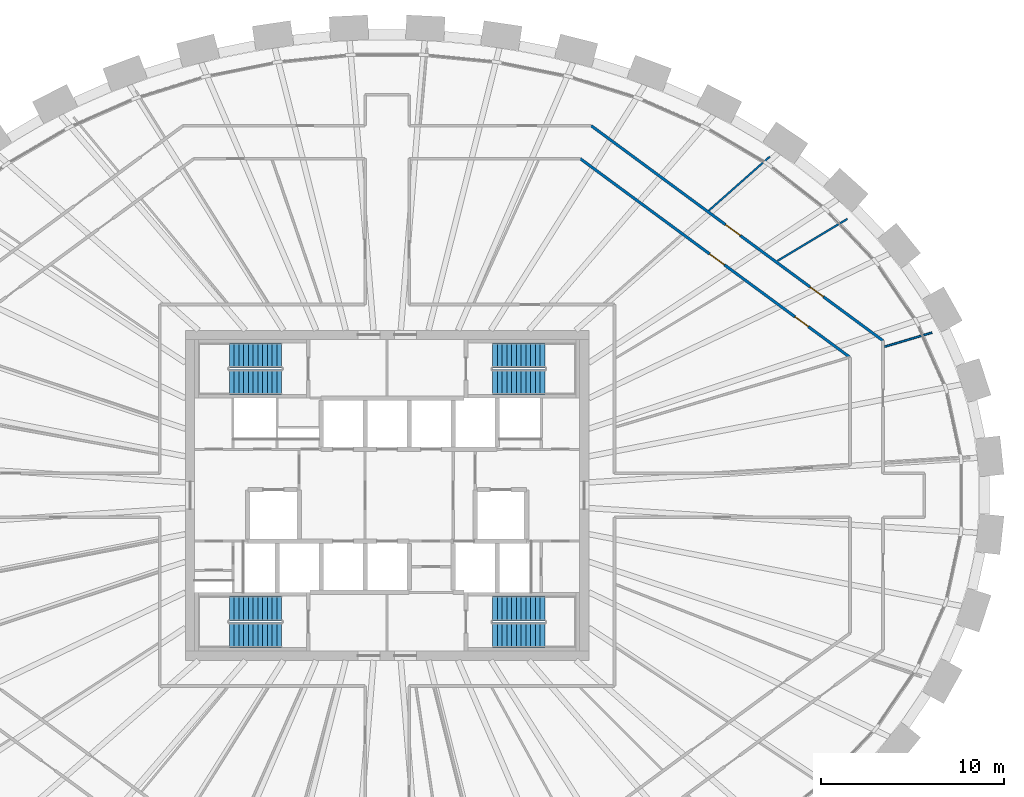
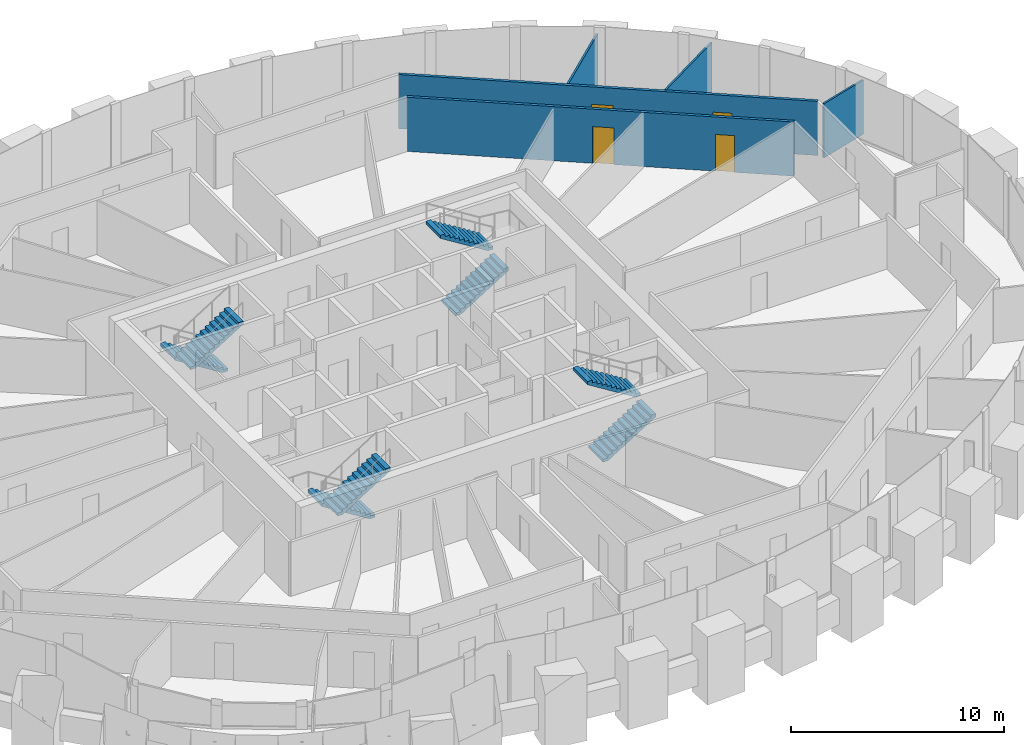
# One storey, part 11 of 12: 8 stair flights, 5 walls, 4 doors, 4 openings, 4 elements without a shape of their own.
"""IFC4 building model written with IfcOpenShell, lengths in metres."""

from ifc_helpers import new_model, si_unit, direction, frame, frame_2d, origin, place, context, subcontext, project, spatial, polyline, rectangle, outline, extrude, source, transform, mapped, material, layer, layer_set, type_object, element, fill, aggregate, save


model = new_model("IFC4")

# Units and contexts
model_context = context("Model", 3, precision=1e-05, world=origin(), true_north=direction((0.0, 1.0)))
body_context = subcontext(model_context, "Body", "Model", "MODEL_VIEW")
ifc_project = project(units=[si_unit("LENGTHUNIT", "METRE"), si_unit("AREAUNIT", "SQUARE_METRE"), si_unit("VOLUMEUNIT", "CUBIC_METRE"), si_unit("PLANEANGLEUNIT", "RADIAN"), si_unit("MASSUNIT", "GRAM", prefix="KILO")], contexts=[model_context])

# Site, building, storey
site_placement = place(None, origin())
site = spatial("IfcSite", under=ifc_project, at=site_placement, CompositionType="ELEMENT")
building_placement = place(site_placement, origin())
building = spatial("IfcBuilding", under=site, at=building_placement, Name="Embergate Tower", CompositionType="ELEMENT")
storey_placement = place(building_placement, frame((0.0, 0.0, 265.60009765625)))
storey = spatial("IfcBuildingStorey", under=building, at=storey_placement, Name="L61", CompositionType="ELEMENT", Elevation=265.60009765625)

# Wall, openings, doors
ifc_material_1 = material(Name="Corridor wall dry-lined 150")
ifc_layer_1 = layer(ifc_material_1, 0.14990234375)
ifc_layer_set_1 = layer_set([ifc_layer_1], Name="Corridor wall dry-lined 150")
wall_type_1 = type_object("IfcWallType", Name="Corridor wall dry-lined 150", PredefinedType="PARTITIONING", material=ifc_layer_set_1)
shared_shape_1 = source(origin(), body_context, "Body", "SweptSolid", [
    extrude(rectangle(XDim=19.77294921875, YDim=0.14990234375, at=frame_2d((9.886474609375, 0.0))), origin(), (0.0, 0.0, 1.0), 3.099853515625),
])
wall_1_placement = place(storey_placement, frame((27.0458984375, 8.431884765625, 0.0), z_axis=(0.0, 0.0, 1.0), x_axis=(-0.805138380898, 0.593086998344, 0.0)))
wall_1 = element("IfcWall", 1, at=wall_1_placement, inside=storey, type_object=wall_type_1, Name="IP-2 wall", PredefinedType="PARTITIONING", context=body_context, shape_type="MappedRepresentation", body=[
    mapped(shared_shape_1, transform((0.0, 0.0, 0.0))),
])
shared_shape_2 = source(origin(), body_context, "Body", "SweptSolid", [
    extrude(rectangle(XDim=0.89990234375, YDim=2.10009765625, at=frame_2d((0.449951171875, 1.050048828125))), frame((0.0, 0.0849609375, 0.0), z_axis=(0.0, -1.0, 0.0), x_axis=(1.0, 0.0, 0.0)), (0.0, 0.0, 1.0), 0.169921875),
])
opening_1_placement = place(wall_1_placement, frame((4.04248046875, 0.0, 0.0)))
opening_1 = element("IfcOpeningElement", 2, at=opening_1_placement, cuts=wall_1, Name="Opening IF-1c", PredefinedType="OPENING", context=body_context, shape_type="MappedRepresentation", body=[
    mapped(shared_shape_2, transform((0.0, 0.0, 0.0))),
])
shared_shape_3 = source(origin(), body_context, "Body", "SweptSolid", [
    extrude(rectangle(XDim=1.0, YDim=2.10009765625, at=frame_2d((0.5, 1.050048828125))), frame((0.0, 0.0849609375, 0.0), z_axis=(0.0, -1.0, 0.0), x_axis=(1.0, 0.0, 0.0)), (0.0, 0.0, 1.0), 0.169921875),
])
opening_2_placement = place(wall_1_placement, frame((9.669677734375, 0.0, 0.0)))
opening_2 = element("IfcOpeningElement", 3, at=opening_2_placement, cuts=wall_1, Name="Opening ID-2", PredefinedType="OPENING", context=body_context, shape_type="MappedRepresentation", body=[
    mapped(shared_shape_3, transform((0.0, 0.0, 0.0))),
])
ifc_material_2 = material(Name="Escape fire door 900")
door_type_1 = type_object("IfcDoorType", Name="Escape fire door 900", OperationType="SINGLE_SWING_LEFT", PredefinedType="DOOR", material=ifc_material_2)
shared_shape_4 = source(origin(), body_context, "Body", "SweptSolid", [
    extrude(rectangle(XDim=0.89990234375, YDim=2.10009765625, at=frame_2d((0.449951171875, 1.050048828125))), frame((0.0, 0.02490234375, 0.0), z_axis=(0.0, -1.0, 0.0), x_axis=(1.0, 0.0, 0.0)), (0.0, 0.0, 1.0), 0.050048828125),
])
door_1_placement = place(opening_1_placement, origin())
door_1 = element("IfcDoor", 4, at=door_1_placement, inside=storey, type_object=door_type_1, Name="IF-1 door", OperationType="SINGLE_SWING_LEFT", OverallHeight=2.10009765625, OverallWidth=0.89990234375, PredefinedType="DOOR", context=body_context, shape_type="MappedRepresentation", body=[
    mapped(shared_shape_4, transform((0.0, 0.0, 0.0))),
])
fill(opening_1, door_1)
ifc_material_3 = material(Name="Interior door 1000")
door_type_2 = type_object("IfcDoorType", Name="Interior door 1000", OperationType="SINGLE_SWING_LEFT", PredefinedType="DOOR", material=ifc_material_3)
shared_shape_5 = source(origin(), body_context, "Body", "SweptSolid", [
    extrude(rectangle(XDim=1.0, YDim=2.10009765625, at=frame_2d((0.5, 1.050048828125))), frame((0.0, 0.02490234375, 0.0), z_axis=(0.0, -1.0, 0.0), x_axis=(1.0, 0.0, 0.0)), (0.0, 0.0, 1.0), 0.050048828125),
])
door_2_placement = place(opening_2_placement, origin())
door_2 = element("IfcDoor", 5, at=door_2_placement, inside=storey, type_object=door_type_2, Name="ID-2 door", OperationType="SINGLE_SWING_LEFT", OverallHeight=2.10009765625, OverallWidth=1.0, PredefinedType="DOOR", context=body_context, shape_type="MappedRepresentation", body=[
    mapped(shared_shape_5, transform((0.0, 0.0, 0.0))),
])
fill(opening_2, door_2)

shared_shape_6 = source(origin(), body_context, "Body", "SweptSolid", [
    extrude(rectangle(XDim=18.254638671875, YDim=0.14990234375, at=frame_2d((9.12744140625, 0.0))), origin(), (0.0, 0.0, 1.0), 3.099853515625),
])
wall_2_placement = place(storey_placement, frame((10.533935546875, 18.35888671875, 0.0), z_axis=(0.0, 0.0, 1.0), x_axis=(0.80516507409, -0.593050759603, 0.0)))
wall_2 = element("IfcWall", 6, at=wall_2_placement, inside=storey, type_object=wall_type_1, Name="IP-2 wall", PredefinedType="PARTITIONING", context=body_context, shape_type="MappedRepresentation", body=[
    mapped(shared_shape_6, transform((0.0, 0.0, 0.0))),
])
opening_3_placement = place(wall_2_placement, frame((14.544677734375, 0.0, 0.0)))
opening_3 = element("IfcOpeningElement", 7, at=opening_3_placement, cuts=wall_2, Name="Opening IF-1c", PredefinedType="OPENING", context=body_context, shape_type="MappedRepresentation", body=[
    mapped(shared_shape_2, transform((0.0, 0.0, 0.0))),
])
opening_4_placement = place(wall_2_placement, frame((8.76171875, 0.0, 0.0)))
opening_4 = element("IfcOpeningElement", 8, at=opening_4_placement, cuts=wall_2, Name="Opening ID-2", PredefinedType="OPENING", context=body_context, shape_type="MappedRepresentation", body=[
    mapped(shared_shape_3, transform((0.0, 0.0, 0.0))),
])
door_3_placement = place(opening_3_placement, origin())
door_3 = element("IfcDoor", 9, at=door_3_placement, inside=storey, type_object=door_type_1, Name="IF-1 door", OperationType="SINGLE_SWING_RIGHT", OverallHeight=2.10009765625, OverallWidth=0.89990234375, PredefinedType="DOOR", context=body_context, shape_type="MappedRepresentation", body=[
    mapped(shared_shape_4, transform((0.0, 0.0, 0.0))),
])
fill(opening_3, door_3)
door_4_placement = place(opening_4_placement, origin())
door_4 = element("IfcDoor", 10, at=door_4_placement, inside=storey, type_object=door_type_2, Name="ID-2 door", OperationType="SINGLE_SWING_LEFT", OverallHeight=2.10009765625, OverallWidth=1.0, PredefinedType="DOOR", context=body_context, shape_type="MappedRepresentation", body=[
    mapped(shared_shape_5, transform((0.0, 0.0, 0.0))),
])
fill(opening_4, door_4)

# Walls
ifc_material_4 = material(Name="Partition dry-lined 100")
ifc_layer_2 = layer(ifc_material_4, 0.10009765625)
ifc_layer_set_2 = layer_set([ifc_layer_2], Name="Partition dry-lined 100")
wall_type_2 = type_object("IfcWallType", Name="Partition dry-lined 100", PredefinedType="PARTITIONING", material=ifc_layer_set_2)
shared_shape_7 = source(origin(), body_context, "Body", "SweptSolid", [
    extrude(rectangle(XDim=2.689453125, YDim=0.10009765625, at=frame_2d((1.3447265625, 0.0))), origin(), (0.0, 0.0, 1.0), 3.099853515625),
])
wall_3_placement = place(storey_placement, frame((27.135009765625, 8.10107421875, 0.0), z_axis=(0.0, 0.0, 1.0), x_axis=(0.958138021402, 0.286306709569, 0.0)))
element("IfcWall", 11, at=wall_3_placement, inside=storey, type_object=wall_type_2, Name="IP-1 wall", PredefinedType="PARTITIONING", context=body_context, shape_type="MappedRepresentation", body=[
    mapped(shared_shape_7, transform((0.0, 0.0, 0.0))),
])
shared_shape_8 = source(origin(), body_context, "Body", "SweptSolid", [
    extrude(rectangle(XDim=4.44287109375, YDim=0.10009765625, at=frame_2d((2.221435546875, 0.0))), origin(), (0.0, 0.0, 1.0), 3.099853515625),
])
wall_4_placement = place(storey_placement, frame((21.29296875, 12.787109375, 0.0), z_axis=(0.0, 0.0, 1.0), x_axis=(0.857352282665, 0.51473008792, 0.0)))
element("IfcWall", 12, at=wall_4_placement, inside=storey, type_object=wall_type_2, Name="IP-1 wall", PredefinedType="PARTITIONING", context=body_context, shape_type="MappedRepresentation", body=[
    mapped(shared_shape_8, transform((0.0, 0.0, 0.0))),
])
shared_shape_9 = source(origin(), body_context, "Body", "SweptSolid", [
    extrude(rectangle(XDim=4.441162109375, YDim=0.10009765625, at=frame_2d((2.220703125, 0.0))), origin(), (0.0, 0.0, 1.0), 3.0),
])
wall_5_placement = place(storey_placement, frame((17.550048828125, 15.532958984375, 0.0), z_axis=(0.0, 0.0, 1.0), x_axis=(0.748890576849, 0.662693672753, 0.0)))
element("IfcWall", 13, at=wall_5_placement, inside=storey, type_object=wall_type_2, Name="IP-1 wall", PredefinedType="PARTITIONING", context=body_context, shape_type="MappedRepresentation", body=[
    mapped(shared_shape_9, transform((0.0, 0.0, 0.0))),
])

# Stair, stair flights
ifc_material_5 = material(Name="Exit stair")
stair_type = type_object("IfcStairType", Name="Exit stair", PredefinedType="HALF_TURN_STAIR", material=ifc_material_5)
stair_1_placement = place(storey_placement, origin())
stair_1 = element("IfcStair", 14, at=stair_1_placement, inside=storey, type_object=stair_type, Name="L61 Exit stair 1", PredefinedType="HALF_TURN_STAIR")
ifc_material_6 = material(Name="Concrete C40", Category="concrete")
stair_flight_type = type_object("IfcStairFlightType", Name="Stair flight reinforced concrete", PredefinedType="STRAIGHT", material=ifc_material_6)
shared_shape_10 = source(origin(), body_context, "Body", "SweptSolid", [
    extrude(outline(polyline([(0.0, 0.0), (0.0, 0.16259765625), (0.260009765625, 0.16259765625), (0.260009765625, 0.324951171875), (0.52001953125, 0.324951171875), (0.52001953125, 0.487548828125), (0.780029296875, 0.487548828125), (0.780029296875, 0.64990234375), (1.0400390625, 0.64990234375), (1.0400390625, 0.8125), (1.300048828125, 0.8125), (1.300048828125, 0.97509765625), (1.56005859375, 0.97509765625), (1.56005859375, 1.137451171875), (1.820068359375, 1.137451171875), (1.820068359375, 1.300048828125), (2.080078125, 1.300048828125), (2.080078125, 1.46240234375), (2.340087890625, 1.46240234375), (2.340087890625, 1.625), (2.60009765625, 1.625), (2.60009765625, 1.78759765625), (2.860107421875, 1.78759765625), (2.860107421875, 1.949951171875), (2.860107421875, 1.61083984375), (0.28271484375, 0.0), (0.0, 0.0)])), frame((0.0, 0.675048828125, 0.0), z_axis=(0.0, -1.0, 0.0), x_axis=(1.0, 0.0, 0.0)), (0.0, 0.0, 1.0), 1.35009765625),
])
stair_flight_1_placement = place(storey_placement, frame((-5.75, 7.625, 0.0), z_axis=(0.0, 0.0, 1.0), x_axis=(-1.0, 0.0, 0.0)))
stair_flight_1 = element("IfcStairFlight", 15, at=stair_flight_1_placement, type_object=stair_flight_type, Name="ST1 flight 1", NumberOfRisers=12, NumberOfTreads=11, PredefinedType="STRAIGHT", RiserHeight=0.1625, TreadLength=0.26, context=body_context, shape_type="MappedRepresentation", body=[
    mapped(shared_shape_10, transform((0.0, 0.0, 0.0))),
])
stair_flight_2_placement = place(storey_placement, frame((-8.610107421875, 6.175048828125, 1.949951171875), z_axis=(0.0, 0.0, 1.0), x_axis=(1.0, 0.0, 0.0)))
stair_flight_2 = element("IfcStairFlight", 16, at=stair_flight_2_placement, type_object=stair_flight_type, Name="ST1 flight 2", NumberOfRisers=12, NumberOfTreads=11, PredefinedType="STRAIGHT", RiserHeight=0.1625, TreadLength=0.26, context=body_context, shape_type="MappedRepresentation", body=[
    mapped(shared_shape_10, transform((0.0, 0.0, 0.0))),
])
aggregate(stair_1, [stair_flight_1, stair_flight_2])

stair_2_placement = place(storey_placement, origin())
stair_2 = element("IfcStair", 17, at=stair_2_placement, inside=storey, type_object=stair_type, Name="L61 Exit stair 2", PredefinedType="HALF_TURN_STAIR")
stair_flight_3_placement = place(storey_placement, frame((5.75, 6.175048828125, 0.0), z_axis=(0.0, 0.0, 1.0), x_axis=(1.0, 0.0, 0.0)))
stair_flight_3 = element("IfcStairFlight", 18, at=stair_flight_3_placement, type_object=stair_flight_type, Name="ST2 flight 1", NumberOfRisers=12, NumberOfTreads=11, PredefinedType="STRAIGHT", RiserHeight=0.1625, TreadLength=0.26, context=body_context, shape_type="MappedRepresentation", body=[
    mapped(shared_shape_10, transform((0.0, 0.0, 0.0))),
])
stair_flight_4_placement = place(storey_placement, frame((8.610107421875, 7.625, 1.949951171875), z_axis=(0.0, 0.0, 1.0), x_axis=(-1.0, 0.0, 0.0)))
stair_flight_4 = element("IfcStairFlight", 19, at=stair_flight_4_placement, type_object=stair_flight_type, Name="ST2 flight 2", NumberOfRisers=12, NumberOfTreads=11, PredefinedType="STRAIGHT", RiserHeight=0.1625, TreadLength=0.26, context=body_context, shape_type="MappedRepresentation", body=[
    mapped(shared_shape_10, transform((0.0, 0.0, 0.0))),
])
aggregate(stair_2, [stair_flight_3, stair_flight_4])

stair_3_placement = place(storey_placement, origin())
stair_3 = element("IfcStair", 20, at=stair_3_placement, inside=storey, type_object=stair_type, Name="L61 Exit stair 3", PredefinedType="HALF_TURN_STAIR")
stair_flight_5_placement = place(storey_placement, frame((-5.75, -6.175048828125, 0.0), z_axis=(0.0, 0.0, 1.0), x_axis=(-1.0, 0.0, 0.0)))
stair_flight_5 = element("IfcStairFlight", 21, at=stair_flight_5_placement, type_object=stair_flight_type, Name="ST3 flight 1", NumberOfRisers=12, NumberOfTreads=11, PredefinedType="STRAIGHT", RiserHeight=0.1625, TreadLength=0.26, context=body_context, shape_type="MappedRepresentation", body=[
    mapped(shared_shape_10, transform((0.0, 0.0, 0.0))),
])
stair_flight_6_placement = place(storey_placement, frame((-8.610107421875, -7.625, 1.949951171875), z_axis=(0.0, 0.0, 1.0), x_axis=(1.0, 0.0, 0.0)))
stair_flight_6 = element("IfcStairFlight", 22, at=stair_flight_6_placement, type_object=stair_flight_type, Name="ST3 flight 2", NumberOfRisers=12, NumberOfTreads=11, PredefinedType="STRAIGHT", RiserHeight=0.1625, TreadLength=0.26, context=body_context, shape_type="MappedRepresentation", body=[
    mapped(shared_shape_10, transform((0.0, 0.0, 0.0))),
])
aggregate(stair_3, [stair_flight_5, stair_flight_6])

stair_4_placement = place(storey_placement, origin())
stair_4 = element("IfcStair", 23, at=stair_4_placement, inside=storey, type_object=stair_type, Name="L61 Exit stair 4", PredefinedType="HALF_TURN_STAIR")
stair_flight_7_placement = place(storey_placement, frame((5.75, -7.625, 0.0), z_axis=(0.0, 0.0, 1.0), x_axis=(1.0, 0.0, 0.0)))
stair_flight_7 = element("IfcStairFlight", 24, at=stair_flight_7_placement, type_object=stair_flight_type, Name="ST4 flight 1", NumberOfRisers=12, NumberOfTreads=11, PredefinedType="STRAIGHT", RiserHeight=0.1625, TreadLength=0.26, context=body_context, shape_type="MappedRepresentation", body=[
    mapped(shared_shape_10, transform((0.0, 0.0, 0.0))),
])
stair_flight_8_placement = place(storey_placement, frame((8.610107421875, -6.175048828125, 1.949951171875), z_axis=(0.0, 0.0, 1.0), x_axis=(-1.0, 0.0, 0.0)))
stair_flight_8 = element("IfcStairFlight", 25, at=stair_flight_8_placement, type_object=stair_flight_type, Name="ST4 flight 2", NumberOfRisers=12, NumberOfTreads=11, PredefinedType="STRAIGHT", RiserHeight=0.1625, TreadLength=0.26, context=body_context, shape_type="MappedRepresentation", body=[
    mapped(shared_shape_10, transform((0.0, 0.0, 0.0))),
])
aggregate(stair_4, [stair_flight_7, stair_flight_8])

save(model, "model.ifc")
